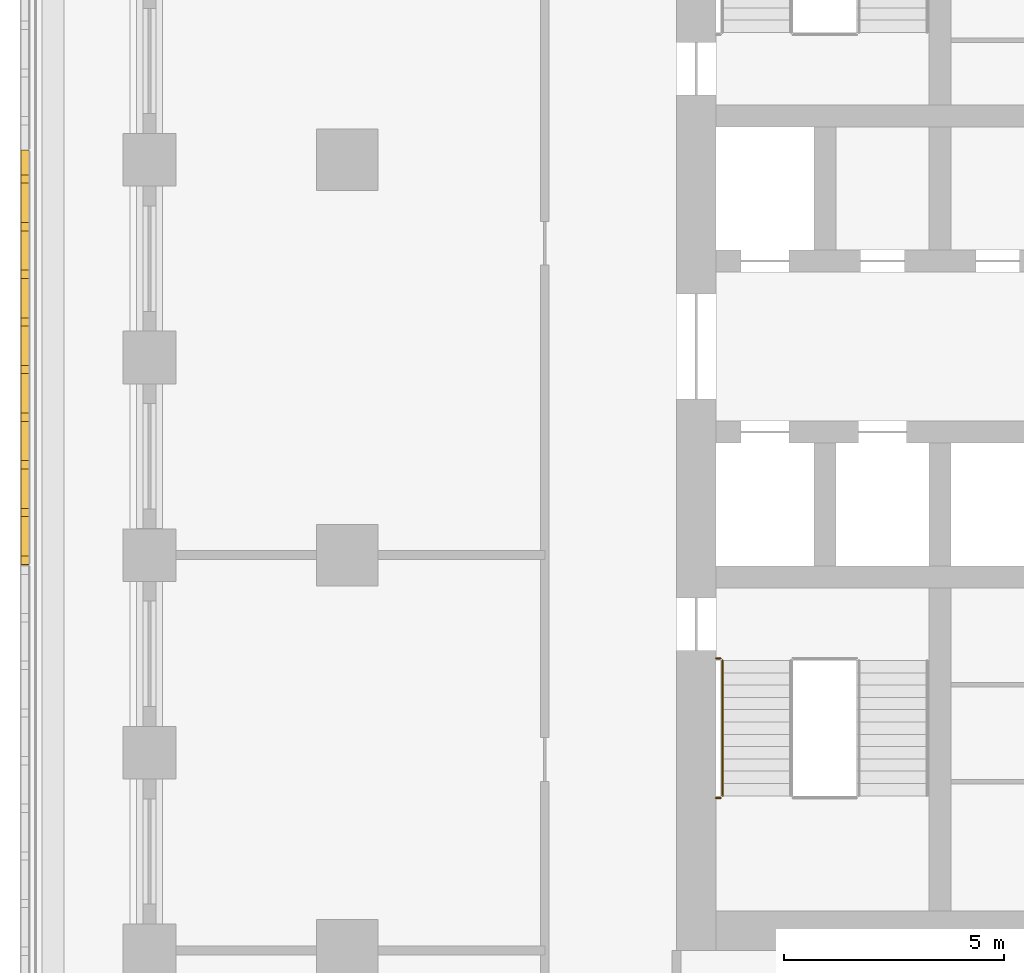
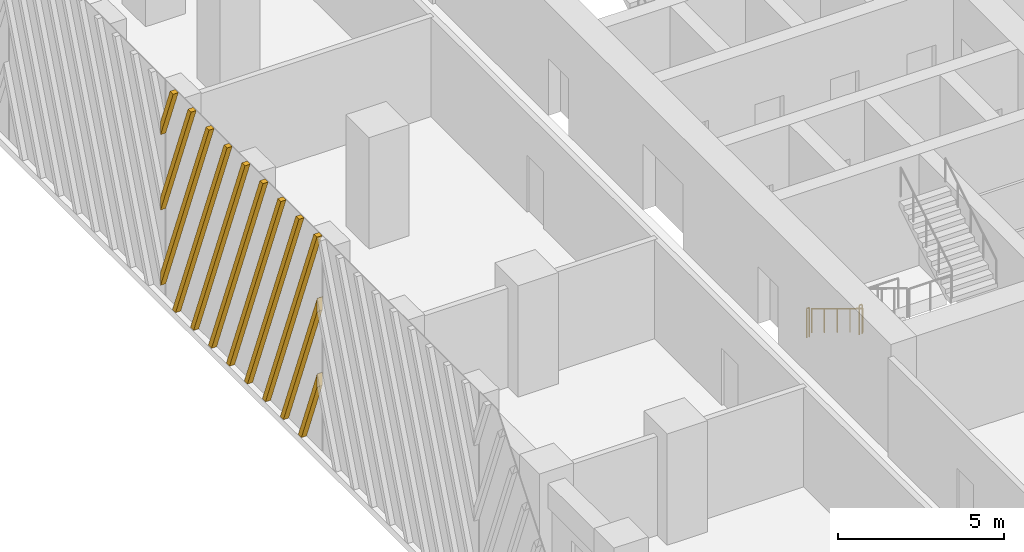
# One storey, part 11 of 19: 3 railings, 1 shading device.
"""IFC4 building model written with IfcOpenShell, lengths in metres."""

from ifc_helpers import new_model, si_unit, direction, frame, origin, origin_2d, place, context, subcontext, project, spatial, polyline, circle, outline, extrude, source, transform, mapped, material, type_object, element, save


model = new_model("IFC4")

# Units and contexts
model_context = context("Model", 3, precision=1e-05, world=origin(), true_north=direction((0.0, 1.0)))
body_context = subcontext(model_context, "Body", "Model", "MODEL_VIEW")
ifc_project = project(units=[si_unit("LENGTHUNIT", "METRE"), si_unit("AREAUNIT", "SQUARE_METRE"), si_unit("VOLUMEUNIT", "CUBIC_METRE"), si_unit("PLANEANGLEUNIT", "RADIAN"), si_unit("MASSUNIT", "GRAM", prefix="KILO")], contexts=[model_context])

# Site, building, storey
site_placement = place(None, origin())
site = spatial("IfcSite", under=ifc_project, at=site_placement, CompositionType="ELEMENT")
building_placement = place(site_placement, origin())
building = spatial("IfcBuilding", under=site, at=building_placement, Name="Corbel Stack Research Tower", CompositionType="ELEMENT")
storey_placement = place(building_placement, frame((0.0, 0.0, 82.0)))
storey = spatial("IfcBuildingStorey", under=building, at=storey_placement, Name="L18", CompositionType="ELEMENT", Elevation=82.0)

# Railings
ifc_material_1 = material(Name="Steel S355", Category="steel")
railing_type_1 = type_object("IfcRailingType", Name="Stair guard 1100", PredefinedType="GUARDRAIL", material=ifc_material_1)
for number, where, name in (
    (1, (-9.60009765625, -5.530029296875, 2.050048828125), "L18 ST-W1 stair guard 3"),
    (2, (-9.60009765625, -2.35009765625, 0.0), "L18 ST-W1 stair guard 6"),
):
    element("IfcRailing", number, at=place(storey_placement, frame(where)), inside=storey, type_object=railing_type_1, Name=name, PredefinedType="GUARDRAIL", context=body_context, shape_type="SweptSolid", body=[
        extrude(circle(Radius=0.02392578125, at=origin_2d()), frame((0.0, 0.0, 1.076171875), z_axis=(1.0, 0.0, 0.0), x_axis=(0.0, 1.0, 0.0)), (0.0, 0.0, 1.0), 0.10009765625),
        extrude(circle(Radius=0.02099609375, at=origin_2d()), origin(), (0.0, 0.0, 1.0), 1.052001953125),
        extrude(circle(Radius=0.02099609375, at=origin_2d()), frame((0.10009765625, 0.0, 0.0)), (0.0, 0.0, 1.0), 1.052001953125),
    ])
ifc_material_2 = material(Name="Steel S355", Category="steel")
railing_type_2 = type_object("IfcRailingType", Name="Stair handrail 900", PredefinedType="HANDRAIL", material=ifc_material_2)
railing_placement = place(storey_placement, frame((-9.449951171875, -2.39990234375, 0.1708984375)))
element("IfcRailing", 3, at=railing_placement, inside=storey, type_object=railing_type_2, Name="L18 ST-W1 stair handrail 1", PredefinedType="HANDRAIL", context=body_context, shape_type="SweptSolid", body=[
    extrude(circle(Radius=0.02392578125, at=origin_2d()), frame((0.0, 0.0, 0.8759765625), z_axis=(0.0, -0.853666305674, 0.52082035152), x_axis=(1.0, 0.0, 0.0)), (0.0, 0.0, 1.0), 3.608154296875),
    extrude(circle(Radius=0.02099609375, at=origin_2d()), origin(), (0.0, 0.0, 1.0), 0.851806640625),
    extrude(circle(Radius=0.02099609375, at=origin_2d()), frame((0.0, -0.77001953125, 0.4697265625)), (0.0, 0.0, 1.0), 0.851806640625),
    extrude(circle(Radius=0.02099609375, at=origin_2d()), frame((0.0, -1.5400390625, 0.939453125)), (0.0, 0.0, 1.0), 0.851806640625),
    extrude(circle(Radius=0.02099609375, at=origin_2d()), frame((0.0, -2.31005859375, 1.409423828125)), (0.0, 0.0, 1.0), 0.851806640625),
    extrude(circle(Radius=0.02099609375, at=origin_2d()), frame((0.0, -3.080078125, 1.879150390625)), (0.0, 0.0, 1.0), 0.851806640625),
])

# Shading device
ifc_material_3 = material(Name="Precast terracotta", Category="masonry")
shading_device_type = type_object("IfcShadingDeviceType", Name="Terracotta screen panel", PredefinedType="USERDEFINED", material=ifc_material_3)
shared_shape = source(origin(), body_context, "Body", "SweptSolid", [
    extrude(outline(polyline([(0.759521484375, 7.949951171875), (0.5693359375, 7.949951171875), (0.0, 6.4921875), (0.0, 6.005615234375), (0.759521484375, 7.949951171875)])), frame((0.0, 0.0, 0.0), z_axis=(0.0, -1.0, 0.0), x_axis=(1.0, 0.0, 0.0)), (0.0, 0.0, 1.0), 0.179931640625),
    extrude(outline(polyline([(1.843994140625, 7.949951171875), (1.654052734375, 7.949951171875), (0.0, 3.71484375), (0.0, 3.228515625), (1.843994140625, 7.949951171875)])), frame((0.0, 0.0, 0.0), z_axis=(0.0, -1.0, 0.0), x_axis=(1.0, 0.0, 0.0)), (0.0, 0.0, 1.0), 0.179931640625),
    extrude(outline(polyline([(2.9287109375, 7.949951171875), (2.73876953125, 7.949951171875), (0.0, 0.9375), (0.0, 0.451171875), (2.9287109375, 7.949951171875)])), frame((0.0, 0.0, 0.0), z_axis=(0.0, -1.0, 0.0), x_axis=(1.0, 0.0, 0.0)), (0.0, 0.0, 1.0), 0.179931640625),
    extrude(outline(polyline([(0.908447265625, 0.0), (4.013427734375, 7.949951171875), (3.823486328125, 7.949951171875), (0.718505859375, 0.0), (0.908447265625, 0.0)])), frame((0.0, 0.0, 0.0), z_axis=(0.0, -1.0, 0.0), x_axis=(1.0, 0.0, 0.0)), (0.0, 0.0, 1.0), 0.179931640625),
    extrude(outline(polyline([(1.9931640625, 0.0), (5.097900390625, 7.949951171875), (4.907958984375, 7.949951171875), (1.80322265625, 0.0), (1.9931640625, 0.0)])), frame((0.0, 0.0, 0.0), z_axis=(0.0, -1.0, 0.0), x_axis=(1.0, 0.0, 0.0)), (0.0, 0.0, 1.0), 0.179931640625),
    extrude(outline(polyline([(3.077880859375, 0.0), (6.1826171875, 7.949951171875), (5.99267578125, 7.949951171875), (2.8876953125, 0.0), (3.077880859375, 0.0)])), frame((0.0, 0.0, 0.0), z_axis=(0.0, -1.0, 0.0), x_axis=(1.0, 0.0, 0.0)), (0.0, 0.0, 1.0), 0.179931640625),
    extrude(outline(polyline([(4.16259765625, 0.0), (7.267333984375, 7.949951171875), (7.077392578125, 7.949951171875), (3.972412109375, 0.0), (4.16259765625, 0.0)])), frame((0.0, 0.0, 0.0), z_axis=(0.0, -1.0, 0.0), x_axis=(1.0, 0.0, 0.0)), (0.0, 0.0, 1.0), 0.179931640625),
    extrude(outline(polyline([(5.247314453125, 0.0), (8.35205078125, 7.949951171875), (8.162109375, 7.949951171875), (5.05712890625, 0.0), (5.247314453125, 0.0)])), frame((0.0, 0.0, 0.0), z_axis=(0.0, -1.0, 0.0), x_axis=(1.0, 0.0, 0.0)), (0.0, 0.0, 1.0), 0.179931640625),
    extrude(outline(polyline([(6.331787109375, 0.0), (9.436767578125, 7.949951171875), (9.24658203125, 7.949951171875), (6.141845703125, 0.0), (6.331787109375, 0.0)])), frame((0.0, 0.0, 0.0), z_axis=(0.0, -1.0, 0.0), x_axis=(1.0, 0.0, 0.0)), (0.0, 0.0, 1.0), 0.179931640625),
    extrude(outline(polyline([(7.41650390625, 0.0), (9.45556640625, 5.22119140625), (9.45556640625, 5.707763671875), (7.2265625, 0.0), (7.41650390625, 0.0)])), frame((0.0, 0.0, 0.0), z_axis=(0.0, -1.0, 0.0), x_axis=(1.0, 0.0, 0.0)), (0.0, 0.0, 1.0), 0.179931640625),
    extrude(outline(polyline([(8.501220703125, 0.0), (9.45556640625, 2.44384765625), (9.45556640625, 2.930419921875), (8.311279296875, 0.0), (8.501220703125, 0.0)])), frame((0.0, 0.0, 0.0), z_axis=(0.0, -1.0, 0.0), x_axis=(1.0, 0.0, 0.0)), (0.0, 0.0, 1.0), 0.179931640625),
])
shading_device_placement = place(storey_placement, frame((-25.25, 9.227783203125, 0.0), z_axis=(0.0, 0.0, 1.0), x_axis=(0.0, -1.0, 0.0)))
element("IfcShadingDevice", 4, at=shading_device_placement, inside=storey, type_object=shading_device_type, Name="Terracotta screen L18 W3", ObjectType="SCREEN", PredefinedType="USERDEFINED", context=body_context, shape_type="MappedRepresentation", body=[
    mapped(shared_shape, transform((0.0, 0.0, 0.0))),
])

save(model, "model.ifc")
